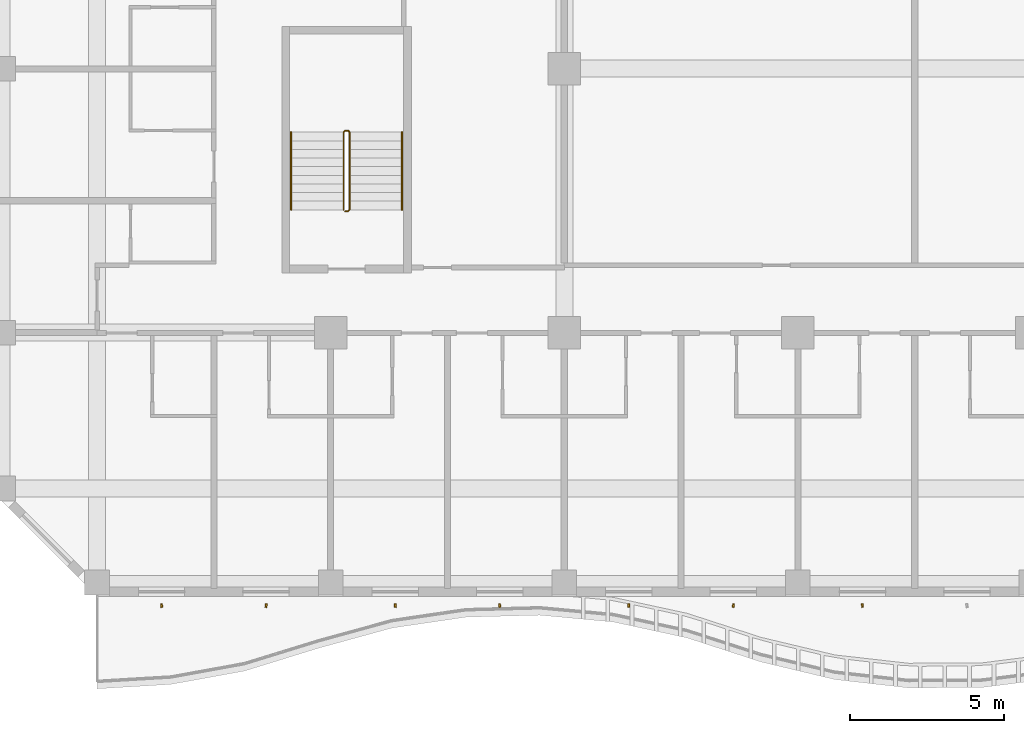
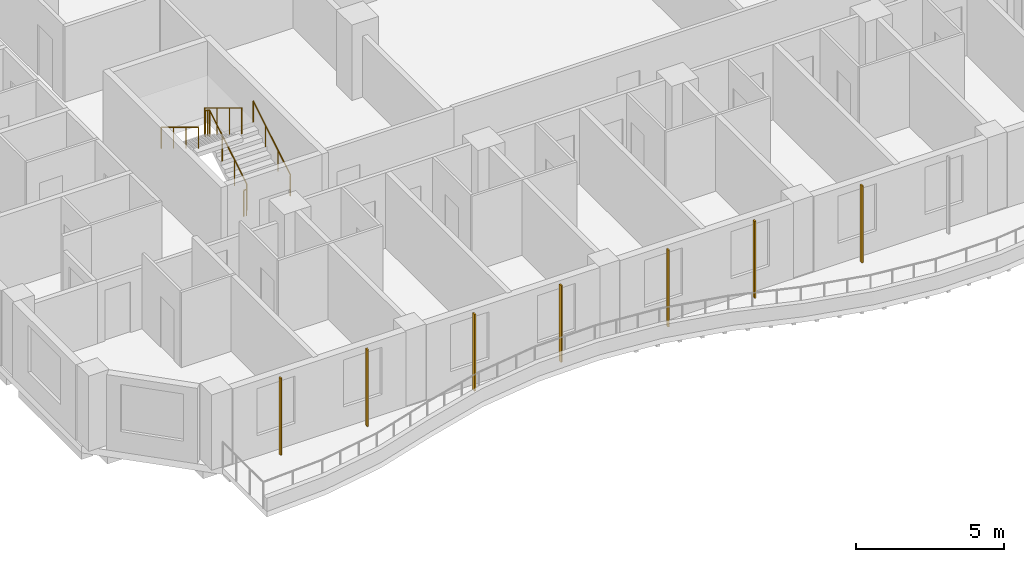
# One storey, part 15 of 22: 7 shading devices, 3 railings.
"""IFC4 building model written with IfcOpenShell, lengths in metres."""

from ifc_helpers import new_model, si_unit, direction, frame, origin, origin_2d, place, context, subcontext, project, spatial, rectangle, circle, extrude, source, transform, mapped, material, material_profile, profile_set, type_object, element, save


model = new_model("IFC4")

# Units and contexts
model_context = context("Model", 3, precision=1e-05, world=origin(), true_north=direction((0.0, 1.0)))
body_context = subcontext(model_context, "Body", "Model", "MODEL_VIEW")
ifc_project = project(units=[si_unit("LENGTHUNIT", "METRE"), si_unit("AREAUNIT", "SQUARE_METRE"), si_unit("VOLUMEUNIT", "CUBIC_METRE"), si_unit("PLANEANGLEUNIT", "RADIAN"), si_unit("MASSUNIT", "GRAM", prefix="KILO")], contexts=[model_context])

# Site, building, storey
site_placement = place(None, origin())
site = spatial("IfcSite", under=ifc_project, at=site_placement, CompositionType="ELEMENT")
building_placement = place(site_placement, origin())
building = spatial("IfcBuilding", under=site, at=building_placement, Name="Kilnfold Tower and Market Hall", CompositionType="ELEMENT")
storey_placement = place(building_placement, frame((0.0, 0.0, 171.89990234375)))
storey = spatial("IfcBuildingStorey", under=building, at=storey_placement, Name="L40", CompositionType="ELEMENT", Elevation=171.89990234375)

# Railings
ifc_material_1 = material(Name="Stainless steel 316", Category="steel")
railing_type_1 = type_object("IfcRailingType", Name="CORE STAIR GUARD 1100", PredefinedType="GUARDRAIL", material=ifc_material_1)
railing_1_placement = place(storey_placement, frame((-15.699951171875, -13.75, 0.0)))
element("IfcRailing", 1, at=railing_1_placement, inside=storey, type_object=railing_type_1, Name="L40 ST3 stair guard 1", PredefinedType="GUARDRAIL", context=body_context, shape_type="SweptSolid", body=[
    extrude(circle(Radius=0.02392578125, at=origin_2d()), frame((0.0, 0.0, 1.076171875), z_axis=(1.0, 0.0, 0.0), x_axis=(0.0, 1.0, 0.0)), (0.0, 0.0, 1.0), 0.099853515625),
    extrude(circle(Radius=0.02392578125, at=origin_2d()), frame((0.099853515625, 0.0, 1.076171875), z_axis=(0.271562723297, 0.271562723297, 0.923313259209), x_axis=(-0.707106781187, 0.707106781187, 0.0)), (0.0, 0.0, 1.0), 0.184326171875),
    extrude(circle(Radius=0.02392578125, at=origin_2d()), frame((0.14990234375, 0.050048828125, 1.24609375), z_axis=(0.0, 0.85478489116, 0.518982456201), x_axis=(-1.0, 0.0, 0.0)), (0.0, 0.0, 1.0), 2.9482421875),
    extrude(circle(Radius=0.02392578125, at=origin_2d()), frame((0.14990234375, 2.570068359375, 2.7763671875), z_axis=(-0.707106781187, 0.707106781187, 0.0), x_axis=(-0.707106781187, -0.707106781187, 0.0)), (0.0, 0.0, 1.0), 0.07080078125),
    extrude(circle(Radius=0.02392578125, at=origin_2d()), frame((0.099853515625, 2.6201171875, 2.7763671875), z_axis=(-1.0, 0.0, 0.0), x_axis=(0.0, -1.0, 0.0)), (0.0, 0.0, 1.0), 0.099853515625),
    extrude(circle(Radius=0.02392578125, at=origin_2d()), frame((0.0, 2.6201171875, 2.7763671875), z_axis=(-0.271895245746, -0.271895245746, 0.923117517265), x_axis=(0.707106781187, -0.707106781187, 0.0)), (0.0, 0.0, 1.0), 0.18408203125),
    extrude(circle(Radius=0.02392578125, at=origin_2d()), frame((-0.050048828125, 2.570068359375, 2.9462890625), z_axis=(0.0, -0.85478489116, 0.518982456201), x_axis=(1.0, 0.0, 0.0)), (0.0, 0.0, 1.0), 2.9482421875),
    extrude(circle(Radius=0.02099609375, at=origin_2d()), origin(), (0.0, 0.0, 1.0), 1.052001953125),
    extrude(circle(Radius=0.02099609375, at=origin_2d()), frame((0.099853515625, 0.0, 0.0)), (0.0, 0.0, 1.0), 1.052001953125),
    extrude(circle(Radius=0.02099609375, at=origin_2d()), frame((0.14990234375, 0.050048828125, 0.170166015625)), (0.0, 0.0, 1.0), 1.052001953125),
    extrude(circle(Radius=0.02099609375, at=origin_2d()), frame((0.14990234375, 0.89013671875, 0.68017578125)), (0.0, 0.0, 1.0), 1.052001953125),
    extrude(circle(Radius=0.02099609375, at=origin_2d()), frame((0.14990234375, 1.72998046875, 1.190185546875)), (0.0, 0.0, 1.0), 1.052001953125),
    extrude(circle(Radius=0.02099609375, at=origin_2d()), frame((0.14990234375, 2.570068359375, 1.7001953125)), (0.0, 0.0, 1.0), 1.052001953125),
    extrude(circle(Radius=0.02099609375, at=origin_2d()), frame((0.099853515625, 2.6201171875, 1.7001953125)), (0.0, 0.0, 1.0), 1.052001953125),
    extrude(circle(Radius=0.02099609375, at=origin_2d()), frame((0.0, 2.6201171875, 1.7001953125)), (0.0, 0.0, 1.0), 1.052001953125),
    extrude(circle(Radius=0.02099609375, at=origin_2d()), frame((-0.050048828125, 2.570068359375, 1.8701171875)), (0.0, 0.0, 1.0), 1.052001953125),
    extrude(circle(Radius=0.02099609375, at=origin_2d()), frame((-0.050048828125, 1.72998046875, 2.380126953125)), (0.0, 0.0, 1.0), 1.052001953125),
    extrude(circle(Radius=0.02099609375, at=origin_2d()), frame((-0.050048828125, 0.89013671875, 2.89013671875)), (0.0, 0.0, 1.0), 1.052001953125),
    extrude(circle(Radius=0.02099609375, at=origin_2d()), frame((-0.050048828125, 0.050048828125, 3.400146484375)), (0.0, 0.0, 1.0), 1.052001953125),
])
ifc_material_2 = material(Name="Stainless steel 316", Category="steel")
railing_type_2 = type_object("IfcRailingType", Name="CORE STAIR HANDRAIL 900", PredefinedType="HANDRAIL", material=ifc_material_2)
railing_2_placement = place(storey_placement, frame((-13.85009765625, -13.699951171875, 0.170166015625)))
element("IfcRailing", 2, at=railing_2_placement, inside=storey, type_object=railing_type_2, Name="L40 ST3 stair handrail 1", PredefinedType="HANDRAIL", context=body_context, shape_type="SweptSolid", body=[
    extrude(circle(Radius=0.02392578125, at=origin_2d()), frame((0.0, 0.0, 0.8759765625), z_axis=(0.0, 0.85478489116, 0.518982456201), x_axis=(-1.0, 0.0, 0.0)), (0.0, 0.0, 1.0), 2.9482421875),
    extrude(circle(Radius=0.02099609375, at=origin_2d()), origin(), (0.0, 0.0, 1.0), 0.851806640625),
    extrude(circle(Radius=0.02099609375, at=origin_2d()), frame((0.0, 0.840087890625, 0.510009765625)), (0.0, 0.0, 1.0), 0.851806640625),
    extrude(circle(Radius=0.02099609375, at=origin_2d()), frame((0.0, 1.679931640625, 1.02001953125)), (0.0, 0.0, 1.0), 0.851806640625),
    extrude(circle(Radius=0.02099609375, at=origin_2d()), frame((0.0, 2.52001953125, 1.530029296875)), (0.0, 0.0, 1.0), 0.851806640625),
])
railing_3_placement = place(storey_placement, frame((-17.449951171875, -11.179931640625, 1.8701171875)))
element("IfcRailing", 3, at=railing_3_placement, inside=storey, type_object=railing_type_2, Name="L40 ST3 stair handrail 2", PredefinedType="HANDRAIL", context=body_context, shape_type="SweptSolid", body=[
    extrude(circle(Radius=0.02392578125, at=origin_2d()), frame((0.0, 0.0, 0.8759765625), z_axis=(0.0, -0.85478489116, 0.518982456201), x_axis=(1.0, 0.0, 0.0)), (0.0, 0.0, 1.0), 2.9482421875),
    extrude(circle(Radius=0.02099609375, at=origin_2d()), origin(), (0.0, 0.0, 1.0), 0.851806640625),
    extrude(circle(Radius=0.02099609375, at=origin_2d()), frame((0.0, -0.840087890625, 0.510009765625)), (0.0, 0.0, 1.0), 0.851806640625),
    extrude(circle(Radius=0.02099609375, at=origin_2d()), frame((0.0, -1.679931640625, 1.02001953125)), (0.0, 0.0, 1.0), 0.851806640625),
    extrude(circle(Radius=0.02099609375, at=origin_2d()), frame((0.0, -2.52001953125, 1.530029296875)), (0.0, 0.0, 1.0), 0.851806640625),
])

# Shading devices
ifc_material_3 = material(Name="Terracotta", Category="masonry")
ifc_material_profile = material_profile(ifc_material_3, rectangle(XDim=0.06005859375, YDim=0.1201171875, at=origin_2d()), Name="BAG 60x120")
ifc_profile_set = profile_set([ifc_material_profile], Name="Terracotta")
shading_device_type = type_object("IfcShadingDeviceType", Name="BAGUETTE", PredefinedType="USERDEFINED", material=ifc_profile_set)
shared_shape = source(origin(), body_context, "Body", "SweptSolid", [
    extrude(rectangle(XDim=0.06005859375, YDim=0.1201171875, at=origin_2d()), origin(), (0.0, 0.0, 1.0), 3.18017578125),
])
for number, where, z_axis, x_axis, name in (
    (4, (-21.654296875, -26.550048828125, 0.0), (0.0, 0.0, 1.0), (0.99751264808, 0.070487707578, 0.0), "Terracotta baguette L40 S"),
    (5, (-18.2626953125, -26.550048828125, 0.0), (0.0, 0.0, 1.0), (0.993172482076, -0.116655136397, 0.0), "Terracotta baguette L40 S"),
    (6, (-14.07080078125, -26.550048828125, 0.0), (0.0, 0.0, 1.0), (0.999317219468, -0.036947190344, 0.0), "Terracotta baguette L40 S"),
    (7, (-10.67919921875, -26.550048828125, 0.0), (0.0, 0.0, 1.0), (0.991209306715, 0.132303100042, 0.0), "Terracotta baguette L40 S"),
    (8, (-6.4873046875, -26.550048828125, 0.0), (0.0, 0.0, 1.0), (0.999999644681, 0.000842993929, 0.0), "Terracotta baguette L40 S"),
    (9, (-3.095703125, -26.550048828125, 0.0), (0.0, 0.0, 1.0), (0.990296952826, -0.138967425044, 0.0), "Terracotta baguette L40 S"),
    (10, (1.095703125, -26.550048828125, 0.0), (0.0, 0.0, 1.0), (0.999376367219, 0.035311140517, 0.0), "Terracotta baguette L40 S"),
):
    element("IfcShadingDevice", number, at=place(storey_placement, frame(where, z_axis=z_axis, x_axis=x_axis)), inside=storey, type_object=shading_device_type, Name=name, ObjectType="BAGUETTE", PredefinedType="USERDEFINED", context=body_context, shape_type="MappedRepresentation", body=[
        mapped(shared_shape, transform((0.0, 0.0, 0.0))),
    ])

save(model, "model.ifc")
